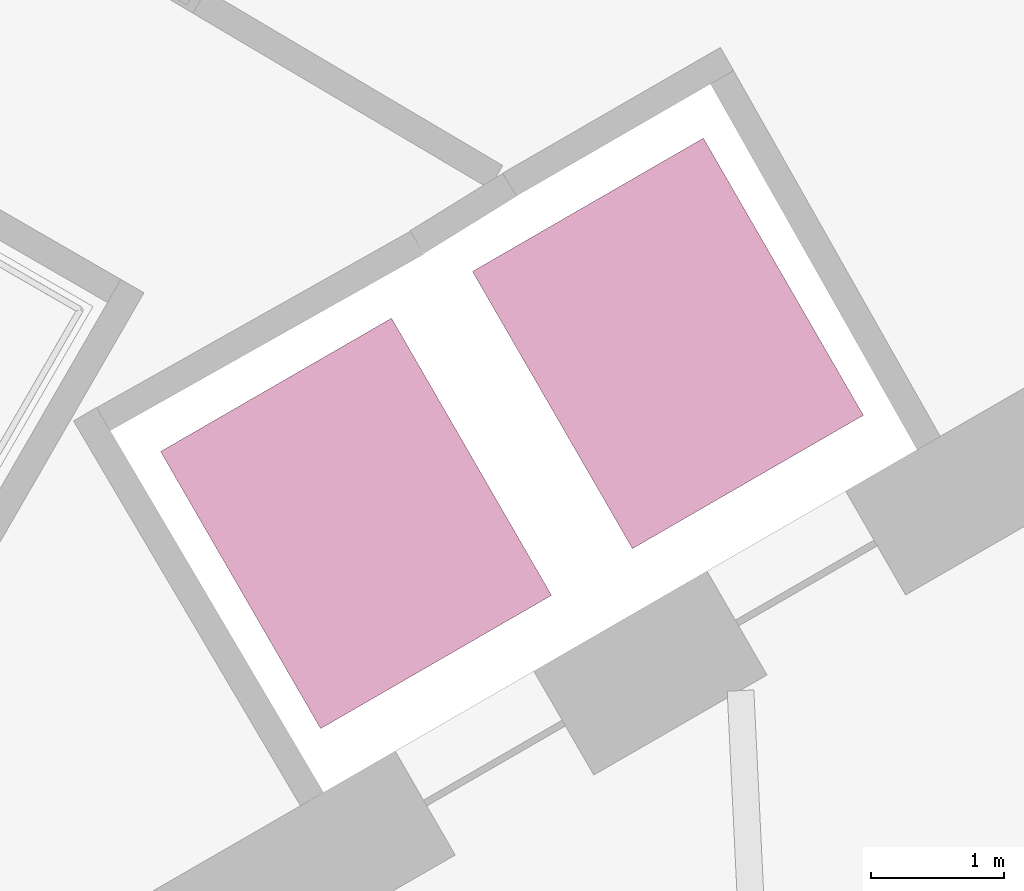
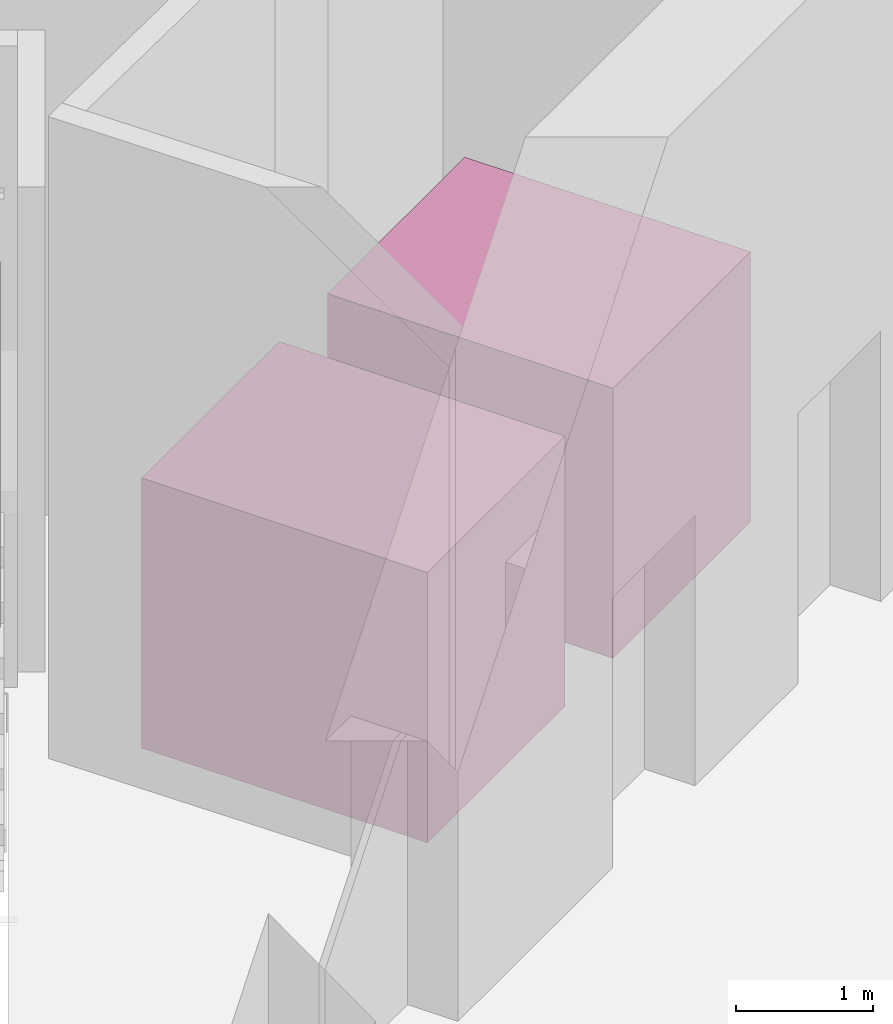
# One storey, part 15 of 15: 2 transport elements.
"""IFC4 building model written with IfcOpenShell, lengths in metres."""

from ifc_helpers import new_model, si_unit, direction, frame, origin, origin_2d, place, context, subcontext, project, spatial, rectangle, extrude, material, type_object, element, save


model = new_model("IFC4")

# Units and contexts
model_context = context("Model", 3, precision=1e-05, world=origin(), true_north=direction((0.0, 1.0)))
body_context = subcontext(model_context, "Body", "Model", "MODEL_VIEW")
ifc_project = project(units=[si_unit("LENGTHUNIT", "METRE"), si_unit("AREAUNIT", "SQUARE_METRE"), si_unit("VOLUMEUNIT", "CUBIC_METRE"), si_unit("PLANEANGLEUNIT", "RADIAN"), si_unit("MASSUNIT", "GRAM", prefix="KILO")], contexts=[model_context])

# Site, building, storey
site_placement = place(None, origin())
site = spatial("IfcSite", under=ifc_project, at=site_placement, CompositionType="ELEMENT")
building_placement = place(site_placement, origin())
building = spatial("IfcBuilding", under=site, at=building_placement, Name="Tanit Gate Tower", CompositionType="ELEMENT")
storey_placement = place(building_placement, frame((0.0, 0.0, 392.300048828125)))
storey = spatial("IfcBuildingStorey", under=building, at=storey_placement, Name="L90", CompositionType="ELEMENT", Elevation=392.300048828125)

# Transport elements
ifc_material = material(Name="Stainless steel lift car", Category="steel")
transport_element_type = type_object("IfcTransportElementType", Name="INT-LIFT-2000X2400-1600", PredefinedType="ELEVATOR", material=ifc_material)
for number, where, z_axis, x_axis, name in (
    (1, (-2.227294921875, -12.34228515625, 0.0), (0.0, 0.0, 1.0), (0.866025403784, 0.5, 0.0), "Lift OL1"),
    (2, (0.111083984375, -10.9921875, 0.0), (0.0, 0.0, 1.0), (0.866025403784, 0.5, 0.0), "Lift OL2"),
):
    element("IfcTransportElement", number, at=place(storey_placement, frame(where, z_axis=z_axis, x_axis=x_axis)), inside=storey, type_object=transport_element_type, Name=name, PredefinedType="ELEVATOR", context=body_context, shape_type="SweptSolid", body=[
        extrude(rectangle(XDim=2.0, YDim=2.39990234375, at=origin_2d()), origin(), (0.0, 0.0, 1.0), 2.39990234375),
    ])

save(model, "model.ifc")
